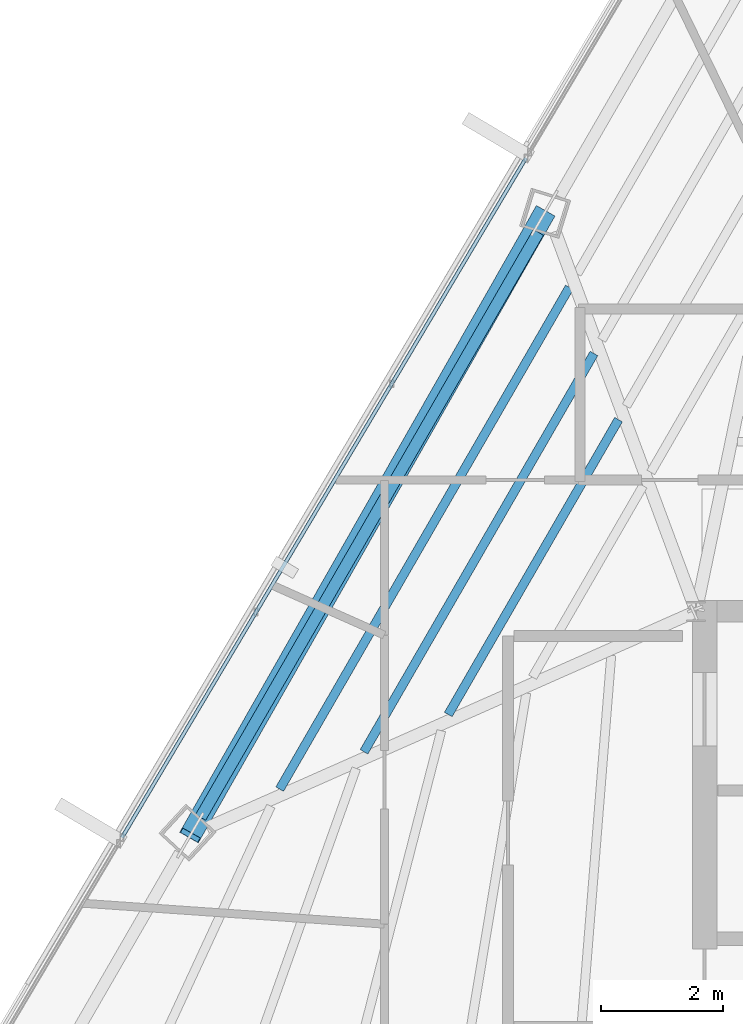
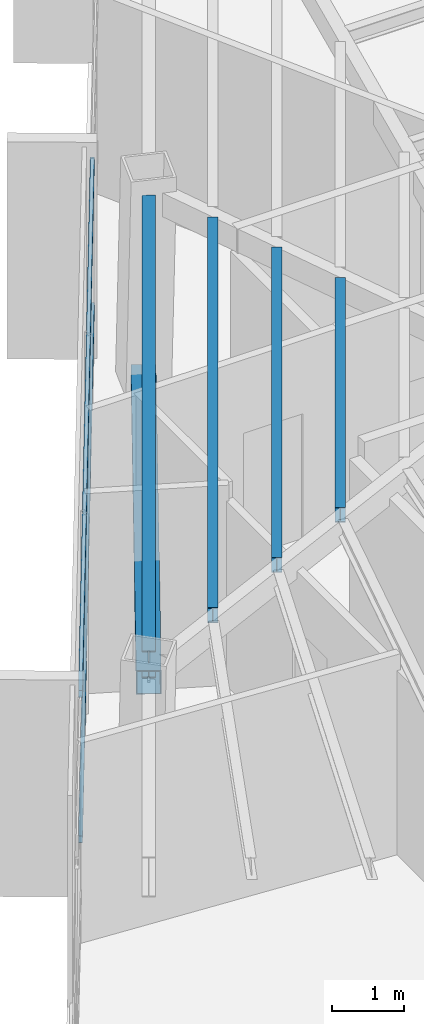
# One storey, part 16 of 42: 4 beams, 3 members, 1 element without a shape of its own.
"""IFC4 building model written with IfcOpenShell, lengths in metres."""

from ifc_helpers import new_model, si_unit, direction, frame, origin, origin_2d, place, context, subcontext, project, spatial, hollow_rectangle, i_section, extrude, source, transform, mapped, material, material_profile, profile_set, type_object, type_shapes, element, aggregate, save


model = new_model("IFC4")

# Units and contexts
model_context = context("Model", 3, precision=1e-05, world=origin(), true_north=direction((0.0, 1.0)))
body_context = subcontext(model_context, "Body", "Model", "MODEL_VIEW")
ifc_project = project(units=[si_unit("LENGTHUNIT", "METRE"), si_unit("AREAUNIT", "SQUARE_METRE"), si_unit("VOLUMEUNIT", "CUBIC_METRE"), si_unit("PLANEANGLEUNIT", "RADIAN"), si_unit("MASSUNIT", "GRAM", prefix="KILO")], contexts=[model_context])

# Site, building, storey
site_placement = place(None, origin())
site = spatial("IfcSite", under=ifc_project, at=site_placement, CompositionType="ELEMENT")
building_placement = place(site_placement, origin())
building = spatial("IfcBuilding", under=site, at=building_placement, Name="Caelisora Broadcast Tower", CompositionType="ELEMENT")
storey_placement = place(building_placement, frame((0.0, 0.0, 244.449951171875)))
storey = spatial("IfcBuildingStorey", under=building, at=storey_placement, Name="L64", CompositionType="ELEMENT", Elevation=244.449951171875)

# Beams
ifc_material_1 = material(Name="Steel Grade 350 (AS/NZS 3679.1)", Category="steel")
ifc_material_profile_1 = material_profile(ifc_material_1, i_section(OverallWidth=0.19091796875, OverallDepth=0.46044921875, WebThickness=0.010009765625, FlangeThickness=0.01611328125, at=origin_2d()), Name="Steel Grade 350 (AS/NZS 3679.1)")
ifc_profile_set_1 = profile_set([ifc_material_profile_1], Name="Steel Grade 350 (AS/NZS 3679.1)")
beam_type_1 = type_object("IfcBeamType", Name="PG06", PredefinedType="BEAM", material=ifc_profile_set_1)
shared_shape_1 = source(origin(), body_context, "Body", "SweptSolid", [
    extrude(i_section(OverallWidth=0.19091796875, OverallDepth=0.46044921875, WebThickness=0.010009765625, FlangeThickness=0.01611328125, at=origin_2d()), origin(), (0.0, 0.0, 1.0), 11.058837890625),
])
type_shapes(beam_type_1, [shared_shape_1])
beam_1_placement = place(storey_placement, frame((27.91943359375, 36.204833984375, 3.169921875), z_axis=(-0.500011650413, -0.866018677311, 0.0), x_axis=(0.866018677311, -0.500011650413, 0.0)))
element("IfcBeam", 1, at=beam_1_placement, inside=storey, type_object=beam_type_1, Name="L64 beam PG06", PredefinedType="BEAM", context=body_context, shape_type="MappedRepresentation", body=[
    mapped(shared_shape_1, transform((0.0, 0.0, 0.0), scale=1.0)),
])
ifc_material_profile_2 = material_profile(ifc_material_1, i_section(OverallWidth=0.14599609375, OverallDepth=0.256103515625, WebThickness=0.00634765625, FlangeThickness=0.010986328125, at=origin_2d()), Name="Steel Grade 350 (AS/NZS 3679.1)")
ifc_profile_set_2 = profile_set([ifc_material_profile_2], Name="Steel Grade 350 (AS/NZS 3679.1)")
beam_type_2 = type_object("IfcBeamType", Name="SB04", PredefinedType="JOIST", material=ifc_profile_set_2)
shared_shape_2 = source(origin(), body_context, "Body", "SweptSolid", [
    extrude(i_section(OverallWidth=0.14599609375, OverallDepth=0.256103515625, WebThickness=0.00634765625, FlangeThickness=0.010986328125, at=origin_2d()), origin(), (0.0, 0.0, 1.0), 5.573974609375),
])
beam_2_placement = place(storey_placement, frame((29.230712890625, 33.138916015625, 3.27197265625), z_axis=(-0.499987860876, -0.866032412198, 0.0), x_axis=(0.866032412198, -0.499987860876, 0.0)))
element("IfcBeam", 2, at=beam_2_placement, inside=storey, type_object=beam_type_2, Name="L64 beam SB04", PredefinedType="JOIST", context=body_context, shape_type="MappedRepresentation", body=[
    mapped(shared_shape_2, transform((0.0, 0.0, 0.0), scale=1.0)),
])
shared_shape_3 = source(origin(), body_context, "Body", "SweptSolid", [
    extrude(i_section(OverallWidth=0.14599609375, OverallDepth=0.256103515625, WebThickness=0.00634765625, FlangeThickness=0.010986328125, at=origin_2d()), origin(), (0.0, 0.0, 1.0), 7.529541015625),
])
beam_3_placement = place(storey_placement, frame((28.828857421875, 34.2216796875, 3.27197265625), z_axis=(-0.500013415291, -0.866017658324, 0.0), x_axis=(0.866017658324, -0.500013415291, 0.0)))
element("IfcBeam", 3, at=beam_3_placement, inside=storey, type_object=beam_type_2, Name="L64 beam SB04", PredefinedType="JOIST", context=body_context, shape_type="MappedRepresentation", body=[
    mapped(shared_shape_3, transform((0.0, 0.0, 0.0), scale=1.0)),
])
shared_shape_4 = source(origin(), body_context, "Body", "SweptSolid", [
    extrude(i_section(OverallWidth=0.14599609375, OverallDepth=0.256103515625, WebThickness=0.00634765625, FlangeThickness=0.010986328125, at=origin_2d()), origin(), (0.0, 0.0, 1.0), 9.485595703125),
])
type_shapes(beam_type_2, [shared_shape_2, shared_shape_3, shared_shape_4])
beam_4_placement = place(storey_placement, frame((28.427001953125, 35.3046875, 3.27197265625), z_axis=(-0.50001728622, -0.866015423351, 0.0), x_axis=(0.866015423351, -0.50001728622, 0.0)))
element("IfcBeam", 4, at=beam_4_placement, inside=storey, type_object=beam_type_2, Name="L64 beam SB04", PredefinedType="JOIST", context=body_context, shape_type="MappedRepresentation", body=[
    mapped(shared_shape_4, transform((0.0, 0.0, 0.0), scale=1.0)),
])

# Member
ifc_material_2 = material(Name="Steel Grade 450 (AS/NZS 1163 C450L0)", Category="steel")
ifc_material_profile_3 = material_profile(ifc_material_2, hollow_rectangle(XDim=0.35009765625, YDim=0.35009765625, WallThickness=0.012451171875, at=origin_2d()), Name="Steel Grade 450 (AS/NZS 1163 C450L0)")
ifc_profile_set_3 = profile_set([ifc_material_profile_3], Name="Steel Grade 450 (AS/NZS 1163 C450L0)")
member_type_1 = type_object("IfcMemberType", Name="BR05", PredefinedType="BRACE", material=ifc_profile_set_3)
shared_shape_5 = source(origin(), body_context, "Body", "SweptSolid", [
    extrude(hollow_rectangle(XDim=0.35009765625, YDim=0.35009765625, WallThickness=0.012451171875, at=origin_2d()), origin(), (0.0, 0.0, 1.0), 12.096435546875),
])
type_shapes(member_type_1, [shared_shape_5])
member_1_placement = place(storey_placement, frame((28.017578125, 36.51953125, 0.10009765625), z_axis=(-0.479197228868, -0.841940428735, 0.248004698156), x_axis=(0.869091876239, -0.494650695598, 0.0)))
element("IfcMember", 5, at=member_1_placement, inside=storey, type_object=member_type_1, Name="L64 perimeter brace BR05", PredefinedType="BRACE", context=body_context, shape_type="MappedRepresentation", body=[
    mapped(shared_shape_5, transform((0.0, 0.0, 0.0), scale=1.0)),
])

# Curtain wall, members
ifc_material_3 = material(Name="Unitised Aluminium Insulated Shadow-Box Spandrel Curtain Wall", Category="aluminium")
curtain_wall_type = type_object("IfcCurtainWallType", Name="CW-SP3", PredefinedType="NOTDEFINED", material=ifc_material_3)
curtain_wall_placement = place(storey_placement, origin())
curtain_wall = element("IfcCurtainWall", 6, at=curtain_wall_placement, inside=storey, type_object=curtain_wall_type, Name="L64 curtain wall CW-SP3", PredefinedType="NOTDEFINED")
ifc_material_4 = material(Name="Aluminium 6063-T6 Anodised Terracotta Bronze", Category="aluminium")
ifc_material_profile_4 = material_profile(ifc_material_4, hollow_rectangle(XDim=0.06005859375, YDim=0.1201171875, WallThickness=0.0029296875, at=origin_2d()), Name="Aluminium 6063-T6 Anodised Terracotta Bronze")
ifc_profile_set_4 = profile_set([ifc_material_profile_4], Name="Aluminium 6063-T6 Anodised Terracotta Bronze")
member_type_2 = type_object("IfcMemberType", Name="CWT-03", PredefinedType="USERDEFINED", material=ifc_profile_set_4)
shared_shape_6 = source(origin(), body_context, "Body", "SweptSolid", [
    extrude(hollow_rectangle(XDim=0.06005859375, YDim=0.1201171875, WallThickness=0.0029296875, at=origin_2d()), origin(), (0.0, 0.0, 1.0), 12.941162109375),
])
type_shapes(member_type_2, [shared_shape_6])
member_2_placement = place(storey_placement, frame((21.102294921875, 26.296630859375, 0.85009765625), z_axis=(0.511026421375, 0.859565004323, 0.0), x_axis=(-0.859565004323, 0.511026421375, 0.0)))
member_2 = element("IfcMember", 7, at=member_2_placement, type_object=member_type_2, Name="L64-CW-B10 transom #1", ObjectType="TRANSOM", PredefinedType="USERDEFINED", context=body_context, shape_type="MappedRepresentation", body=[
    mapped(shared_shape_6, transform((0.0, 0.0, 0.0), scale=1.0)),
])
member_3_placement = place(storey_placement, frame((21.102294921875, 26.296630859375, 3.320068359375), z_axis=(0.511026421375, 0.859565004323, 0.0), x_axis=(-0.859565004323, 0.511026421375, 0.0)))
member_3 = element("IfcMember", 8, at=member_3_placement, type_object=member_type_2, Name="L64-CW-B10 transom #2", ObjectType="TRANSOM", PredefinedType="USERDEFINED", context=body_context, shape_type="MappedRepresentation", body=[
    mapped(shared_shape_6, transform((0.0, 0.0, 0.0), scale=1.0)),
])
aggregate(curtain_wall, [member_2, member_3])

save(model, "model.ifc")
